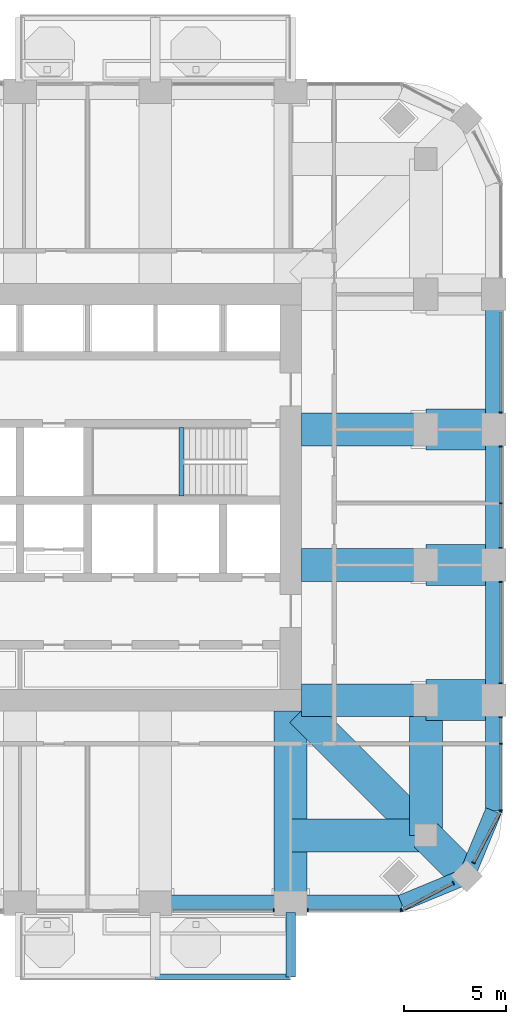
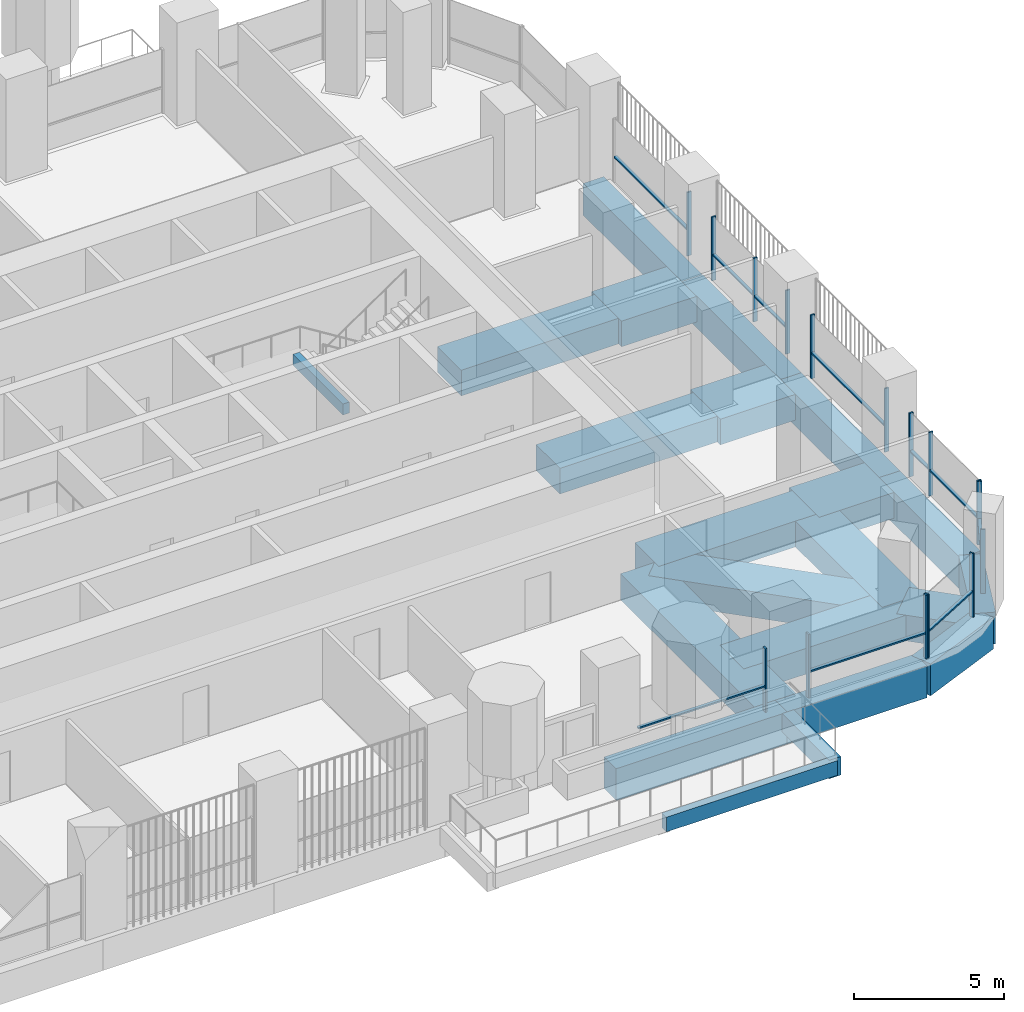
# One storey, part 5 of 20: 26 members, 22 beams, 8 elements without a shape of their own.
"""IFC4 building model written with IfcOpenShell, lengths in metres."""

from ifc_helpers import new_model, si_unit, direction, frame, origin, origin_2d, place, context, subcontext, project, spatial, rectangle, extrude, material, material_profile, profile_set, type_object, element, aggregate, save


model = new_model("IFC4")

# Units and contexts
model_context = context("Model", 3, precision=1e-05, world=origin(), true_north=direction((0.0, 1.0)))
body_context = subcontext(model_context, "Body", "Model", "MODEL_VIEW")
ifc_project = project(units=[si_unit("LENGTHUNIT", "METRE"), si_unit("AREAUNIT", "SQUARE_METRE"), si_unit("VOLUMEUNIT", "CUBIC_METRE"), si_unit("PLANEANGLEUNIT", "RADIAN"), si_unit("MASSUNIT", "GRAM", prefix="KILO")], contexts=[model_context])

# Site, building, storey
site_placement = place(None, origin())
site = spatial("IfcSite", under=ifc_project, at=site_placement, CompositionType="ELEMENT")
building_placement = place(site_placement, origin())
building = spatial("IfcBuilding", under=site, at=building_placement, Name="Cobogo Forest Laboratory Tower", CompositionType="ELEMENT")
storey_placement = place(building_placement, frame((0.0, 0.0, 214.5)))
storey = spatial("IfcBuildingStorey", under=building, at=storey_placement, Name="L49", CompositionType="ELEMENT", Elevation=214.5)

# Beams
ifc_material_1 = material(Name="Concrete HA-40 (C40/50)", Category="concrete")
ifc_material_profile_1 = material_profile(ifc_material_1, rectangle(XDim=0.449951171875, YDim=0.75, at=origin_2d()), Name="RC 450x750")
ifc_profile_set_1 = profile_set([ifc_material_profile_1], Name="Concrete HA-40 (C40/50)")
beam_type_1 = type_object("IfcBeamType", Name="Balcony cantilever beam 450x750", PredefinedType="BEAM", material=ifc_profile_set_1)
beam_1_placement = place(storey_placement, frame((39.60009765625, 2.85009765625, -0.625), z_axis=(0.0, -1.0, 0.0), x_axis=(1.0, 0.0, 0.0)))
element("IfcBeam", 1, at=beam_1_placement, inside=storey, type_object=beam_type_1, Name="CB1 BAL-S1-C3 L49", PredefinedType="BEAM", context=body_context, shape_type="SweptSolid", body=[
    extrude(rectangle(XDim=0.449951171875, YDim=0.75, at=origin_2d()), origin(), (0.0, 0.0, 1.0), 3.150146484375),
])
ifc_material_profile_2 = material_profile(ifc_material_1, rectangle(XDim=0.300048828125, YDim=0.60009765625, at=origin_2d()), Name="RC 300x600")
ifc_profile_set_2 = profile_set([ifc_material_profile_2], Name="Concrete HA-40 (C40/50)")
beam_type_2 = type_object("IfcBeamType", Name="Balcony edge beam 300x600", PredefinedType="BEAM", material=ifc_profile_set_2)
beam_2_placement = place(storey_placement, frame((33.0, -0.300048828125, -0.550048828125), z_axis=(1.0, 0.0, 0.0), x_axis=(0.0, 1.0, 0.0)))
element("IfcBeam", 2, at=beam_2_placement, inside=storey, type_object=beam_type_2, Name="BB1 BAL-S1-T2 L49", PredefinedType="BEAM", context=body_context, shape_type="SweptSolid", body=[
    extrude(rectangle(XDim=0.300048828125, YDim=0.60009765625, at=origin_2d()), origin(), (0.0, 0.0, 1.0), 6.60009765625),
])
ifc_material_2 = material(Name="Concrete HA-50 (C50/60)", Category="concrete")
ifc_material_profile_3 = material_profile(ifc_material_2, rectangle(XDim=2.0, YDim=1.050048828125, at=origin_2d()), Name="RC 2000x1050")
ifc_profile_set_3 = profile_set([ifc_material_profile_3], Name="Concrete HA-50 (C50/60)")
beam_type_3 = type_object("IfcBeamType", Name="End-bay wide beam 2000x1050", PredefinedType="BEAM", material=ifc_profile_set_3)
for number, where, z_axis, x_axis, name in (
    (3, (49.5, 13.199951171875, -0.824951171875), (-1.0, 0.0, 0.0), (0.0, -1.0, 0.0), "RB7 R-C-E-X L49"),
    (4, (49.5, 19.800048828125, -0.824951171875), (-1.0, 0.0, 0.0), (0.0, -1.0, 0.0), "RB7 R-D-E-X L49"),
    (5, (49.5, 26.39990234375, -0.824951171875), (-1.0, 0.0, 0.0), (0.0, -1.0, 0.0), "RB7 R-E-E-X L49"),
):
    element("IfcBeam", number, at=place(storey_placement, frame(where, z_axis=z_axis, x_axis=x_axis)), inside=storey, type_object=beam_type_3, Name=name, PredefinedType="BEAM", context=body_context, shape_type="SweptSolid", body=[
        extrude(rectangle(XDim=2.0, YDim=1.050048828125, at=origin_2d()), origin(), (0.0, 0.0, 1.0), 3.300048828125),
    ])
ifc_material_profile_4 = material_profile(ifc_material_1, rectangle(XDim=0.25, YDim=0.449951171875, at=origin_2d()), Name="RC 250x450")
ifc_profile_set_4 = profile_set([ifc_material_profile_4], Name="Concrete HA-40 (C40/50)")
beam_type_4 = type_object("IfcBeamType", Name="LB1 landing beam 250x450", PredefinedType="BEAM", material=ifc_profile_set_4)
beam_3_placement = place(storey_placement, frame((34.27001953125, 23.14990234375, 1.675048828125), z_axis=(0.0, 1.0, 0.0), x_axis=(-1.0, 0.0, 0.0)))
element("IfcBeam", 6, at=beam_3_placement, inside=storey, type_object=beam_type_4, Name="Landing beam ST2 L49", PredefinedType="BEAM", context=body_context, shape_type="SweptSolid", body=[
    extrude(rectangle(XDim=0.25, YDim=0.449951171875, at=origin_2d()), origin(), (0.0, 0.0, 1.0), 3.35009765625),
])
ifc_material_profile_5 = material_profile(ifc_material_2, rectangle(XDim=1.60009765625, YDim=1.050048828125, at=origin_2d()), Name="RC 1600x1050")
ifc_profile_set_5 = profile_set([ifc_material_profile_5], Name="Concrete HA-50 (C50/60)")
beam_type_5 = type_object("IfcBeamType", Name="Laboratory floor wide beam 1600x1050", PredefinedType="BEAM", material=ifc_profile_set_5)
beam_4_placement = place(storey_placement, frame((39.60009765625, 12.675048828125, -0.824951171875), z_axis=(0.0, -1.0, 0.0), x_axis=(1.0, 0.0, 0.0)))
element("IfcBeam", 7, at=beam_4_placement, inside=storey, type_object=beam_type_5, Name="RB8 R-7-S L49", PredefinedType="BEAM", context=body_context, shape_type="SweptSolid", body=[
    extrude(rectangle(XDim=1.60009765625, YDim=1.050048828125, at=origin_2d()), origin(), (0.0, 0.0, 1.0), 9.375),
])
for number, where, z_axis, x_axis, name in (
    (8, (40.125, 13.199951171875, -0.824951171875), (1.0, 0.0, 0.0), (0.0, 1.0, 0.0), "RB8 R-C-E L49"),
    (9, (40.125, 19.800048828125, -0.824951171875), (1.0, 0.0, 0.0), (0.0, 1.0, 0.0), "RB8 R-D-E L49"),
    (10, (40.125, 26.39990234375, -0.824951171875), (1.0, 0.0, 0.0), (0.0, 1.0, 0.0), "RB8 R-E-E L49"),
):
    element("IfcBeam", number, at=place(storey_placement, frame(where, z_axis=z_axis, x_axis=x_axis)), inside=storey, type_object=beam_type_5, Name=name, PredefinedType="BEAM", context=body_context, shape_type="SweptSolid", body=[
        extrude(rectangle(XDim=1.60009765625, YDim=1.050048828125, at=origin_2d()), origin(), (0.0, 0.0, 1.0), 6.074951171875),
    ])
for number, where, z_axis, x_axis, name in (
    (11, (46.199951171875, 6.60009765625, -0.824951171875), (0.0, 1.0, 0.0), (-1.0, 0.0, 0.0), "RB8 G-SE-XC L49"),
    (12, (46.199951171875, 6.60009765625, -0.824951171875), (-1.0, 0.0, 0.0), (0.0, -1.0, 0.0), "RB8 G-SE-YC L49"),
):
    element("IfcBeam", number, at=place(storey_placement, frame(where, z_axis=z_axis, x_axis=x_axis)), inside=storey, type_object=beam_type_5, Name=name, PredefinedType="BEAM", context=body_context, shape_type="SweptSolid", body=[
        extrude(rectangle(XDim=1.60009765625, YDim=1.050048828125, at=origin_2d()), origin(), (0.0, 0.0, 1.0), 6.599853515625),
    ])
beam_5_placement = place(storey_placement, frame((48.181884765625, 4.617919921875, -0.824951171875), z_axis=(-0.707063230743, 0.707150328948, 0.0), x_axis=(-0.707150328948, -0.707063230743, 0.0)))
element("IfcBeam", 13, at=beam_5_placement, inside=storey, type_object=beam_type_5, Name="RB8 G-SE-D1 L49", PredefinedType="BEAM", context=body_context, shape_type="SweptSolid", body=[
    extrude(rectangle(XDim=1.60009765625, YDim=1.050048828125, at=origin_2d()), origin(), (0.0, 0.0, 1.0), 2.802978515625),
])
beam_6_placement = place(storey_placement, frame((46.199951171875, 6.60009765625, -0.824951171875), z_axis=(-0.707106781187, 0.707106781187, 0.0), x_axis=(-0.707106781187, -0.707106781187, 0.0)))
element("IfcBeam", 14, at=beam_6_placement, inside=storey, type_object=beam_type_5, Name="RB8 G-SE-D2 L49", PredefinedType="BEAM", context=body_context, shape_type="SweptSolid", body=[
    extrude(rectangle(XDim=1.60009765625, YDim=1.050048828125, at=origin_2d()), origin(), (0.0, 0.0, 1.0), 8.59130859375),
])

# Curtain wall, member
ifc_material_3 = material(Name="Aluminium curtain wall", Category="aluminium")
curtain_wall_type = type_object("IfcCurtainWallType", Name="CW-2 unitised curtain wall, solar control glazing, laboratory floors zones C and D", PredefinedType="USERDEFINED", material=ifc_material_3)
curtain_wall_1_placement = place(storey_placement, origin())
curtain_wall_1 = element("IfcCurtainWall", 15, at=curtain_wall_1_placement, inside=storey, type_object=curtain_wall_type, Name="Curtain wall 05 L49", ObjectType="UNITISED CURTAIN WALL", PredefinedType="USERDEFINED")
ifc_material_4 = material(Name="Aluminium mullion", Category="aluminium")
ifc_material_profile_6 = material_profile(ifc_material_4, rectangle(XDim=0.06005859375, YDim=0.159912109375, at=origin_2d()), Name="AL 60x160")
ifc_profile_set_6 = profile_set([ifc_material_profile_6], Name="Aluminium mullion")
member_type_1 = type_object("IfcMemberType", Name="MU-1 aluminium mullion 60x160", PredefinedType="MULLION", material=ifc_profile_set_6)
member_1_placement = place(storey_placement, frame((38.77001953125, 2.949951171875, 0.0), z_axis=(0.0, 0.0, 1.0), x_axis=(1.0, 0.0, 0.0)))
member_1 = element("IfcMember", 16, at=member_1_placement, type_object=member_type_1, Name="CW-2 mullion 2", PredefinedType="MULLION", context=body_context, shape_type="SweptSolid", body=[
    extrude(rectangle(XDim=0.06005859375, YDim=0.159912109375, at=origin_2d()), origin(), (0.0, 0.0, 1.0), 2.60009765625),
])

# Curtain wall, members
curtain_wall_2_placement = place(storey_placement, origin())
curtain_wall_2 = element("IfcCurtainWall", 17, at=curtain_wall_2_placement, inside=storey, type_object=curtain_wall_type, Name="Curtain wall 06 L49", ObjectType="UNITISED CURTAIN WALL", PredefinedType="USERDEFINED")
member_2_placement = place(storey_placement, frame((40.429931640625, 2.949951171875, 0.0), z_axis=(0.0, 0.0, 1.0), x_axis=(1.0, 0.0, 0.0)))
member_2 = element("IfcMember", 18, at=member_2_placement, type_object=member_type_1, Name="CW-2 mullion 1", PredefinedType="MULLION", context=body_context, shape_type="SweptSolid", body=[
    extrude(rectangle(XDim=0.06005859375, YDim=0.159912109375, at=origin_2d()), origin(), (0.0, 0.0, 1.0), 2.60009765625),
])
member_3_placement = place(storey_placement, frame((44.969970703125, 2.949951171875, 0.0), z_axis=(0.0, 0.0, 1.0), x_axis=(1.0, 0.0, 0.0)))
member_3 = element("IfcMember", 19, at=member_3_placement, type_object=member_type_1, Name="CW-2 mullion 2", PredefinedType="MULLION", context=body_context, shape_type="SweptSolid", body=[
    extrude(rectangle(XDim=0.06005859375, YDim=0.159912109375, at=origin_2d()), origin(), (0.0, 0.0, 1.0), 2.60009765625),
])

curtain_wall_3_placement = place(storey_placement, origin())
curtain_wall_3 = element("IfcCurtainWall", 20, at=curtain_wall_3_placement, inside=storey, type_object=curtain_wall_type, Name="Curtain wall 07 L49", ObjectType="UNITISED CURTAIN WALL", PredefinedType="USERDEFINED")
member_4_placement = place(storey_placement, frame((45.026611328125, 2.9638671875, 0.0), z_axis=(0.0, 0.0, 1.0), x_axis=(0.885686484356, 0.464283804832, 0.0)))
member_4 = element("IfcMember", 21, at=member_4_placement, type_object=member_type_1, Name="CW-2 mullion 1", PredefinedType="MULLION", context=body_context, shape_type="SweptSolid", body=[
    extrude(rectangle(XDim=0.06005859375, YDim=0.159912109375, at=origin_2d()), origin(), (0.0, 0.0, 1.0), 2.60009765625),
])
member_5_placement = place(storey_placement, frame((47.5244140625, 4.2734375, 0.0), z_axis=(0.0, 0.0, 1.0), x_axis=(0.885686484356, 0.464283804832, 0.0)))
member_5 = element("IfcMember", 22, at=member_5_placement, type_object=member_type_1, Name="CW-2 mullion 2", PredefinedType="MULLION", context=body_context, shape_type="SweptSolid", body=[
    extrude(rectangle(XDim=0.06005859375, YDim=0.159912109375, at=origin_2d()), origin(), (0.0, 0.0, 1.0), 2.60009765625),
])

curtain_wall_4_placement = place(storey_placement, origin())
curtain_wall_4 = element("IfcCurtainWall", 23, at=curtain_wall_4_placement, inside=storey, type_object=curtain_wall_type, Name="Curtain wall 08 L49", ObjectType="UNITISED CURTAIN WALL", PredefinedType="USERDEFINED")
member_6_placement = place(storey_placement, frame((48.526611328125, 5.275634765625, 0.0), z_axis=(0.0, 0.0, 1.0), x_axis=(0.464283804832, 0.885686484356, 0.0)))
member_6 = element("IfcMember", 24, at=member_6_placement, type_object=member_type_1, Name="CW-2 mullion 1", PredefinedType="MULLION", context=body_context, shape_type="SweptSolid", body=[
    extrude(rectangle(XDim=0.06005859375, YDim=0.159912109375, at=origin_2d()), origin(), (0.0, 0.0, 1.0), 2.60009765625),
])
member_7_placement = place(storey_placement, frame((49.836181640625, 7.7734375, 0.0), z_axis=(0.0, 0.0, 1.0), x_axis=(0.464283804832, 0.885686484356, 0.0)))
member_7 = element("IfcMember", 25, at=member_7_placement, type_object=member_type_1, Name="CW-2 mullion 2", PredefinedType="MULLION", context=body_context, shape_type="SweptSolid", body=[
    extrude(rectangle(XDim=0.06005859375, YDim=0.159912109375, at=origin_2d()), origin(), (0.0, 0.0, 1.0), 2.60009765625),
])

curtain_wall_5_placement = place(storey_placement, origin())
curtain_wall_5 = element("IfcCurtainWall", 26, at=curtain_wall_5_placement, inside=storey, type_object=curtain_wall_type, Name="Curtain wall 09 L49", ObjectType="UNITISED CURTAIN WALL", PredefinedType="USERDEFINED")
member_8_placement = place(storey_placement, frame((49.85009765625, 7.830078125, 0.0), z_axis=(0.0, 0.0, 1.0), x_axis=(0.0, 1.0, 0.0)))
member_8 = element("IfcMember", 27, at=member_8_placement, type_object=member_type_1, Name="CW-2 mullion 1", PredefinedType="MULLION", context=body_context, shape_type="SweptSolid", body=[
    extrude(rectangle(XDim=0.06005859375, YDim=0.159912109375, at=origin_2d()), origin(), (0.0, 0.0, 1.0), 2.60009765625),
])
member_9_placement = place(storey_placement, frame((49.85009765625, 11.074951171875, 0.0), z_axis=(0.0, 0.0, 1.0), x_axis=(0.0, 1.0, 0.0)))
member_9 = element("IfcMember", 28, at=member_9_placement, type_object=member_type_1, Name="CW-2 mullion 2", PredefinedType="MULLION", context=body_context, shape_type="SweptSolid", body=[
    extrude(rectangle(XDim=0.06005859375, YDim=0.159912109375, at=origin_2d()), origin(), (0.0, 0.0, 1.0), 2.60009765625),
])
member_10_placement = place(storey_placement, frame((49.85009765625, 12.3701171875, 0.0), z_axis=(0.0, 0.0, 1.0), x_axis=(0.0, 1.0, 0.0)))
member_10 = element("IfcMember", 29, at=member_10_placement, type_object=member_type_1, Name="CW-2 mullion 3", PredefinedType="MULLION", context=body_context, shape_type="SweptSolid", body=[
    extrude(rectangle(XDim=0.06005859375, YDim=0.159912109375, at=origin_2d()), origin(), (0.0, 0.0, 1.0), 2.60009765625),
])

curtain_wall_6_placement = place(storey_placement, origin())
curtain_wall_6 = element("IfcCurtainWall", 30, at=curtain_wall_6_placement, inside=storey, type_object=curtain_wall_type, Name="Curtain wall 10 L49", ObjectType="UNITISED CURTAIN WALL", PredefinedType="USERDEFINED")
member_11_placement = place(storey_placement, frame((49.85009765625, 14.030029296875, 0.0), z_axis=(0.0, 0.0, 1.0), x_axis=(0.0, 1.0, 0.0)))
member_11 = element("IfcMember", 31, at=member_11_placement, type_object=member_type_1, Name="CW-2 mullion 1", PredefinedType="MULLION", context=body_context, shape_type="SweptSolid", body=[
    extrude(rectangle(XDim=0.06005859375, YDim=0.159912109375, at=origin_2d()), origin(), (0.0, 0.0, 1.0), 2.60009765625),
])
member_12_placement = place(storey_placement, frame((49.85009765625, 18.969970703125, 0.0), z_axis=(0.0, 0.0, 1.0), x_axis=(0.0, 1.0, 0.0)))
member_12 = element("IfcMember", 32, at=member_12_placement, type_object=member_type_1, Name="CW-2 mullion 2", PredefinedType="MULLION", context=body_context, shape_type="SweptSolid", body=[
    extrude(rectangle(XDim=0.06005859375, YDim=0.159912109375, at=origin_2d()), origin(), (0.0, 0.0, 1.0), 2.60009765625),
])

curtain_wall_7_placement = place(storey_placement, origin())
curtain_wall_7 = element("IfcCurtainWall", 33, at=curtain_wall_7_placement, inside=storey, type_object=curtain_wall_type, Name="Curtain wall 11 L49", ObjectType="UNITISED CURTAIN WALL", PredefinedType="USERDEFINED")
member_13_placement = place(storey_placement, frame((49.85009765625, 20.6298828125, 0.0), z_axis=(0.0, 0.0, 1.0), x_axis=(0.0, 1.0, 0.0)))
member_13 = element("IfcMember", 34, at=member_13_placement, type_object=member_type_1, Name="CW-2 mullion 1", PredefinedType="MULLION", context=body_context, shape_type="SweptSolid", body=[
    extrude(rectangle(XDim=0.06005859375, YDim=0.159912109375, at=origin_2d()), origin(), (0.0, 0.0, 1.0), 2.60009765625),
])
member_14_placement = place(storey_placement, frame((49.85009765625, 22.800048828125, 0.0), z_axis=(0.0, 0.0, 1.0), x_axis=(0.0, 1.0, 0.0)))
member_14 = element("IfcMember", 35, at=member_14_placement, type_object=member_type_1, Name="CW-2 mullion 2", PredefinedType="MULLION", context=body_context, shape_type="SweptSolid", body=[
    extrude(rectangle(XDim=0.06005859375, YDim=0.159912109375, at=origin_2d()), origin(), (0.0, 0.0, 1.0), 2.60009765625),
])
member_15_placement = place(storey_placement, frame((49.85009765625, 25.570068359375, 0.0), z_axis=(0.0, 0.0, 1.0), x_axis=(0.0, 1.0, 0.0)))
member_15 = element("IfcMember", 36, at=member_15_placement, type_object=member_type_1, Name="CW-2 mullion 3", PredefinedType="MULLION", context=body_context, shape_type="SweptSolid", body=[
    extrude(rectangle(XDim=0.06005859375, YDim=0.159912109375, at=origin_2d()), origin(), (0.0, 0.0, 1.0), 2.60009765625),
])

# Curtain wall, member
curtain_wall_8_placement = place(storey_placement, origin())
curtain_wall_8 = element("IfcCurtainWall", 37, at=curtain_wall_8_placement, inside=storey, type_object=curtain_wall_type, Name="Curtain wall 12 L49", ObjectType="UNITISED CURTAIN WALL", PredefinedType="USERDEFINED")
member_16_placement = place(storey_placement, frame((49.85009765625, 27.22998046875, 0.0), z_axis=(0.0, 0.0, 1.0), x_axis=(0.0, 1.0, 0.0)))
member_16 = element("IfcMember", 38, at=member_16_placement, type_object=member_type_1, Name="CW-2 mullion 1", PredefinedType="MULLION", context=body_context, shape_type="SweptSolid", body=[
    extrude(rectangle(XDim=0.06005859375, YDim=0.159912109375, at=origin_2d()), origin(), (0.0, 0.0, 1.0), 2.60009765625),
])

# Beams
ifc_material_profile_7 = material_profile(ifc_material_1, rectangle(XDim=0.800048828125, YDim=1.300048828125, at=origin_2d()), Name="RC 800x1300")
ifc_profile_set_7 = profile_set([ifc_material_profile_7], Name="Concrete HA-40 (C40/50)")
beam_type_6 = type_object("IfcBeamType", Name="Perimeter edge beam 800x1300", PredefinedType="BEAM", material=ifc_profile_set_7)
for number, where, z_axis, x_axis, name in (
    (39, (33.0, 3.300048828125, -0.949951171875), (1.0, 0.0, 0.0), (0.0, 1.0, 0.0), "EB2 E-S4 L49"),
    (40, (49.5, 13.199951171875, -0.949951171875), (0.0, 1.0, 0.0), (-1.0, 0.0, 0.0), "EB2 E-E1 L49"),
):
    element("IfcBeam", number, at=place(storey_placement, frame(where, z_axis=z_axis, x_axis=x_axis)), inside=storey, type_object=beam_type_6, Name=name, PredefinedType="BEAM", context=body_context, shape_type="SweptSolid", body=[
        extrude(rectangle(XDim=0.800048828125, YDim=1.300048828125, at=origin_2d()), origin(), (0.0, 0.0, 1.0), 6.60009765625),
    ])
beam_7_placement = place(storey_placement, frame((49.5, 19.800048828125, -0.949951171875), z_axis=(0.0, 1.0, 0.0), x_axis=(-1.0, 0.0, 0.0)))
element("IfcBeam", 41, at=beam_7_placement, inside=storey, type_object=beam_type_6, Name="EB2 E-E2 L49", PredefinedType="BEAM", context=body_context, shape_type="SweptSolid", body=[
    extrude(rectangle(XDim=0.800048828125, YDim=1.300048828125, at=origin_2d()), origin(), (0.0, 0.0, 1.0), 6.599853515625),
])
beam_8_placement = place(storey_placement, frame((49.5, 26.39990234375, -0.949951171875), z_axis=(0.0, 1.0, 0.0), x_axis=(-1.0, 0.0, 0.0)))
element("IfcBeam", 42, at=beam_8_placement, inside=storey, type_object=beam_type_6, Name="EB2 E-E3 L49", PredefinedType="BEAM", context=body_context, shape_type="SweptSolid", body=[
    extrude(rectangle(XDim=0.800048828125, YDim=1.300048828125, at=origin_2d()), origin(), (0.0, 0.0, 1.0), 6.60009765625),
])
beam_9_placement = place(storey_placement, frame((39.60009765625, 3.300048828125, -0.949951171875), z_axis=(1.0, 0.0, 0.0), x_axis=(0.0, 1.0, 0.0)))
element("IfcBeam", 43, at=beam_9_placement, inside=storey, type_object=beam_type_6, Name="EB2 E-SES1 L49", PredefinedType="BEAM", context=body_context, shape_type="SweptSolid", body=[
    extrude(rectangle(XDim=0.800048828125, YDim=1.300048828125, at=origin_2d()), origin(), (0.0, 0.0, 1.0), 5.39990234375),
])
beam_10_placement = place(storey_placement, frame((45.0, 3.300048828125, -0.949951171875), z_axis=(0.923890694089, 0.382656484822, 0.0), x_axis=(-0.382656484822, 0.923890694089, 0.0)))
element("IfcBeam", 44, at=beam_10_placement, inside=storey, type_object=beam_type_6, Name="EB2 E-SES2 L49", PredefinedType="BEAM", context=body_context, shape_type="SweptSolid", body=[
    extrude(rectangle(XDim=0.800048828125, YDim=1.300048828125, at=origin_2d()), origin(), (0.0, 0.0, 1.0), 3.444091796875),
])
beam_11_placement = place(storey_placement, frame((49.5, 13.199951171875, -0.949951171875), z_axis=(0.0, -1.0, 0.0), x_axis=(1.0, 0.0, 0.0)))
element("IfcBeam", 45, at=beam_11_placement, inside=storey, type_object=beam_type_6, Name="EB2 E-SEE1 L49", PredefinedType="BEAM", context=body_context, shape_type="SweptSolid", body=[
    extrude(rectangle(XDim=0.800048828125, YDim=1.300048828125, at=origin_2d()), origin(), (0.0, 0.0, 1.0), 5.39990234375),
])
beam_12_placement = place(storey_placement, frame((49.5, 7.800048828125, -0.949951171875), z_axis=(-0.382691928466, -0.923876013265, 0.0), x_axis=(0.923876013265, -0.382691928466, 0.0)))
element("IfcBeam", 46, at=beam_12_placement, inside=storey, type_object=beam_type_6, Name="EB2 E-SEE2 L49", PredefinedType="BEAM", context=body_context, shape_type="SweptSolid", body=[
    extrude(rectangle(XDim=0.800048828125, YDim=1.300048828125, at=origin_2d()), origin(), (0.0, 0.0, 1.0), 3.4443359375),
])

# Member
ifc_material_5 = material(Name="Aluminium transom", Category="aluminium")
ifc_material_profile_8 = material_profile(ifc_material_5, rectangle(XDim=0.1201171875, YDim=0.06005859375, at=origin_2d()), Name="AL 60x120")
ifc_profile_set_8 = profile_set([ifc_material_profile_8], Name="Aluminium transom")
member_type_2 = type_object("IfcMemberType", Name="TR-1 aluminium transom 60x120", PredefinedType="USERDEFINED", material=ifc_profile_set_8)
member_17_placement = place(storey_placement, frame((33.860107421875, 2.949951171875, 1.050048828125), z_axis=(1.0, 0.0, 0.0), x_axis=(0.0, 1.0, 0.0)))
member_17 = element("IfcMember", 47, at=member_17_placement, type_object=member_type_2, Name="CW-2 transom 1.1", ObjectType="TRANSOM", PredefinedType="USERDEFINED", context=body_context, shape_type="SweptSolid", body=[
    extrude(rectangle(XDim=0.1201171875, YDim=0.06005859375, at=origin_2d()), origin(), (0.0, 0.0, 1.0), 4.8798828125),
])

aggregate(curtain_wall_1, [member_1, member_17])

member_18_placement = place(storey_placement, frame((40.4599609375, 2.949951171875, 1.050048828125), z_axis=(1.0, 0.0, 0.0), x_axis=(0.0, 1.0, 0.0)))
member_18 = element("IfcMember", 48, at=member_18_placement, type_object=member_type_2, Name="CW-2 transom 1.1", ObjectType="TRANSOM", PredefinedType="USERDEFINED", context=body_context, shape_type="SweptSolid", body=[
    extrude(rectangle(XDim=0.1201171875, YDim=0.06005859375, at=origin_2d()), origin(), (0.0, 0.0, 1.0), 4.47998046875),
])

aggregate(curtain_wall_2, [member_2, member_3, member_18])

member_19_placement = place(storey_placement, frame((45.05322265625, 2.977783203125, 1.050048828125), z_axis=(0.885646224078, 0.464360598863, 0.0), x_axis=(-0.464360598863, 0.885646224078, 0.0)))
member_19 = element("IfcMember", 49, at=member_19_placement, type_object=member_type_2, Name="CW-2 transom 1.1", ObjectType="TRANSOM", PredefinedType="USERDEFINED", context=body_context, shape_type="SweptSolid", body=[
    extrude(rectangle(XDim=0.1201171875, YDim=0.06005859375, at=origin_2d()), origin(), (0.0, 0.0, 1.0), 2.76025390625),
])

aggregate(curtain_wall_3, [member_4, member_5, member_19])

member_20_placement = place(storey_placement, frame((48.54052734375, 5.302001953125, 1.050048828125), z_axis=(0.464254846591, 0.88570166389, 0.0), x_axis=(-0.88570166389, 0.464254846591, 0.0)))
member_20 = element("IfcMember", 50, at=member_20_placement, type_object=member_type_2, Name="CW-2 transom 1.1", ObjectType="TRANSOM", PredefinedType="USERDEFINED", context=body_context, shape_type="SweptSolid", body=[
    extrude(rectangle(XDim=0.1201171875, YDim=0.06005859375, at=origin_2d()), origin(), (0.0, 0.0, 1.0), 2.76025390625),
])

aggregate(curtain_wall_4, [member_6, member_7, member_20])

member_21_placement = place(storey_placement, frame((49.85009765625, 7.860107421875, 1.050048828125), z_axis=(0.0, 1.0, 0.0), x_axis=(-1.0, 0.0, 0.0)))
member_21 = element("IfcMember", 51, at=member_21_placement, type_object=member_type_2, Name="CW-2 transom 1.1", ObjectType="TRANSOM", PredefinedType="USERDEFINED", context=body_context, shape_type="SweptSolid", body=[
    extrude(rectangle(XDim=0.1201171875, YDim=0.06005859375, at=origin_2d()), origin(), (0.0, 0.0, 1.0), 3.184814453125),
])

member_22_placement = place(storey_placement, frame((49.85009765625, 11.10498046875, 1.050048828125), z_axis=(0.0, 1.0, 0.0), x_axis=(-1.0, 0.0, 0.0)))
member_22 = element("IfcMember", 52, at=member_22_placement, type_object=member_type_2, Name="CW-2 transom 2.1", ObjectType="TRANSOM", PredefinedType="USERDEFINED", context=body_context, shape_type="SweptSolid", body=[
    extrude(rectangle(XDim=0.1201171875, YDim=0.06005859375, at=origin_2d()), origin(), (0.0, 0.0, 1.0), 1.235107421875),
])

aggregate(curtain_wall_5, [member_8, member_9, member_10, member_21, member_22])

member_23_placement = place(storey_placement, frame((49.85009765625, 14.06005859375, 1.050048828125), z_axis=(0.0, 1.0, 0.0), x_axis=(-1.0, 0.0, 0.0)))
member_23 = element("IfcMember", 53, at=member_23_placement, type_object=member_type_2, Name="CW-2 transom 1.1", ObjectType="TRANSOM", PredefinedType="USERDEFINED", context=body_context, shape_type="SweptSolid", body=[
    extrude(rectangle(XDim=0.1201171875, YDim=0.06005859375, at=origin_2d()), origin(), (0.0, 0.0, 1.0), 4.8798828125),
])

aggregate(curtain_wall_6, [member_11, member_12, member_23])

member_24_placement = place(storey_placement, frame((49.85009765625, 20.659912109375, 1.050048828125), z_axis=(0.0, 1.0, 0.0), x_axis=(-1.0, 0.0, 0.0)))
member_24 = element("IfcMember", 54, at=member_24_placement, type_object=member_type_2, Name="CW-2 transom 1.1", ObjectType="TRANSOM", PredefinedType="USERDEFINED", context=body_context, shape_type="SweptSolid", body=[
    extrude(rectangle(XDim=0.1201171875, YDim=0.06005859375, at=origin_2d()), origin(), (0.0, 0.0, 1.0), 2.110107421875),
])

member_25_placement = place(storey_placement, frame((49.85009765625, 22.830078125, 1.050048828125), z_axis=(0.0, 1.0, 0.0), x_axis=(-1.0, 0.0, 0.0)))
member_25 = element("IfcMember", 55, at=member_25_placement, type_object=member_type_2, Name="CW-2 transom 2.1", ObjectType="TRANSOM", PredefinedType="USERDEFINED", context=body_context, shape_type="SweptSolid", body=[
    extrude(rectangle(XDim=0.1201171875, YDim=0.06005859375, at=origin_2d()), origin(), (0.0, 0.0, 1.0), 2.7099609375),
])

aggregate(curtain_wall_7, [member_13, member_14, member_15, member_24, member_25])

member_26_placement = place(storey_placement, frame((49.85009765625, 27.260009765625, 1.050048828125), z_axis=(0.0, 1.0, 0.0), x_axis=(-1.0, 0.0, 0.0)))
member_26 = element("IfcMember", 56, at=member_26_placement, type_object=member_type_2, Name="CW-2 transom 1.1", ObjectType="TRANSOM", PredefinedType="USERDEFINED", context=body_context, shape_type="SweptSolid", body=[
    extrude(rectangle(XDim=0.1201171875, YDim=0.06005859375, at=origin_2d()), origin(), (0.0, 0.0, 1.0), 4.8798828125),
])

aggregate(curtain_wall_8, [member_16, member_26])

save(model, "model.ifc")
